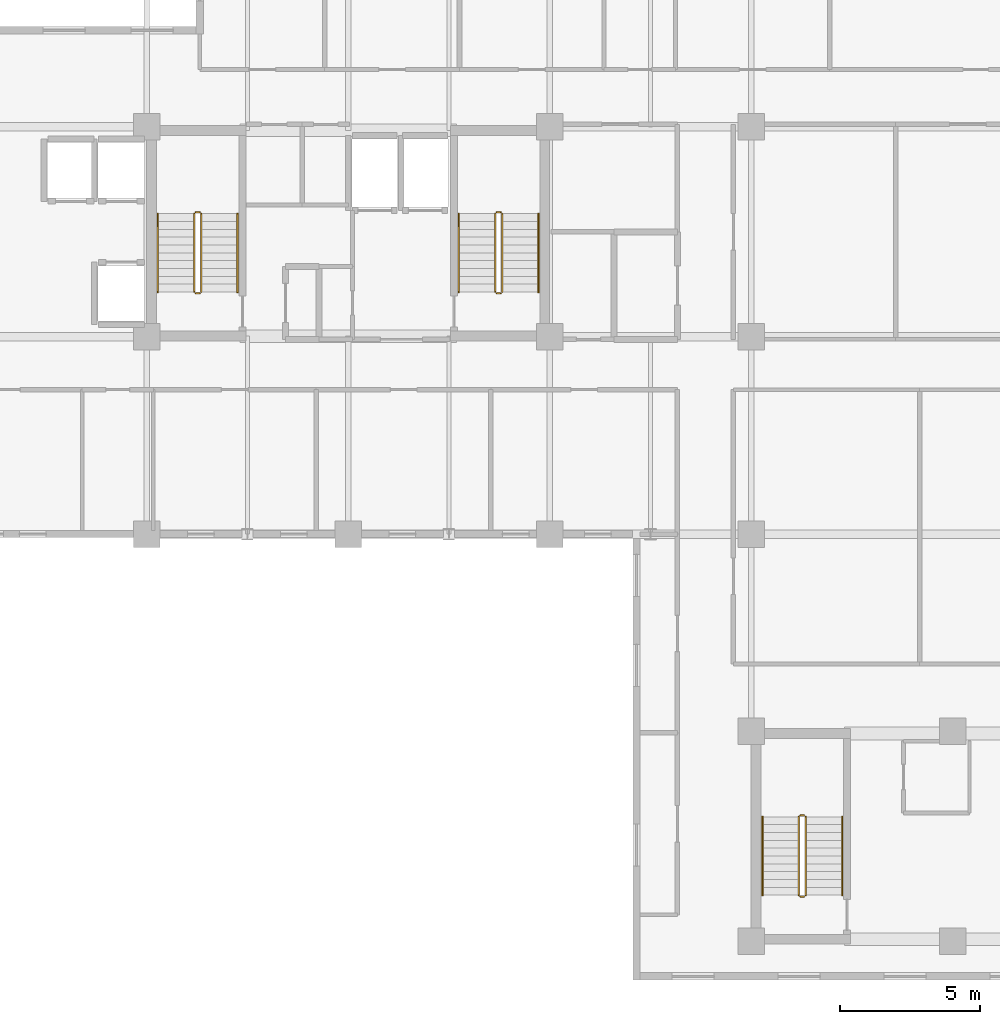
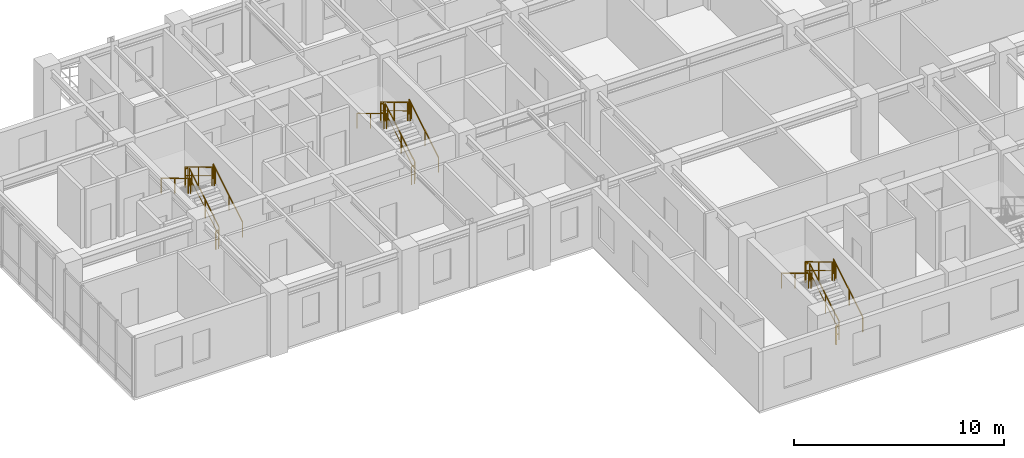
# One storey, part 18 of 20: 18 railings.
"""IFC4 building model written with IfcOpenShell, lengths in metres."""

import ifcopenshell
import ifcopenshell.guid

model = None  # the IFC model being written
_history = None  # IfcOwnerHistory: only IFC2X3 demands one
_inside = {}  # id of a spatial element -> (the spatial element, [elements in it])
_under = {}  # id of a project, library or spatial element -> (it, [spatial elements below it])
_declared = {}  # id of a project -> (the project, [libraries it declares])
_typed = {}  # id of a type object -> (the type object, [elements of that type])
_made_of = {}  # id of a material, layer set ... -> (it, [elements and type objects made of it])


def new_model(schema):
    """Start an empty IFC model of exactly this schema.

    Asked for "IFC4X3", IfcOpenShell would pick the latest addendum, in which some entities
    have other attributes; the version numbers below select the first issue.
    IFC2X3 requires an IfcOwnerHistory on every rooted entity: one is made here for all.
    """
    global model, _history
    if schema == "IFC4X3":
        model = ifcopenshell.file(schema_version=(4, 3, 0, 0))
    else:
        model = ifcopenshell.file(schema=schema)
    _inside.clear()
    _under.clear()
    _declared.clear()
    _typed.clear()
    _made_of.clear()
    _history = None
    if model.schema == "IFC2X3":
        org = make("IfcOrganization", Name="unknown")
        user = make(
            "IfcPersonAndOrganization",
            ThePerson=make("IfcPerson", FamilyName="unknown"),
            TheOrganization=org,
        )
        app = make(
            "IfcApplication",
            ApplicationDeveloper=org,
            Version="unknown",
            ApplicationFullName="unknown",
            ApplicationIdentifier="unknown",
        )
        _history = make(
            "IfcOwnerHistory",
            OwningUser=user,
            OwningApplication=app,
            ChangeAction="ADDED",
            CreationDate=0,
        )
    return model


def make(cls, **values):
    """One entity of the class cls with the attributes given. An attribute that is None is left unset."""
    return model.create_entity(
        cls, **{name: value for name, value in values.items() if value is not None}
    )


def rooted(cls, **values):
    """An entity with a GlobalId (a new one), such as an element, a storey or a relation."""
    return make(cls, GlobalId=ifcopenshell.guid.new(), OwnerHistory=_history, **values)


def si_unit(unit_type, name, prefix=None):
    """IfcSIUnit, for example si_unit("LENGTHUNIT", "METRE", prefix="MILLI")."""
    return make("IfcSIUnit", UnitType=unit_type, Prefix=prefix, Name=name)


def assignment(units):
    """IfcUnitAssignment: the units of a project."""
    return None if units is None else make("IfcUnitAssignment", Units=units)


def point(xyz):
    """IfcCartesianPoint."""
    return None if xyz is None else make("IfcCartesianPoint", Coordinates=xyz)


def direction(xyz):
    """IfcDirection."""
    return None if xyz is None else make("IfcDirection", DirectionRatios=xyz)


def frame(location, z_axis=None, x_axis=None):
    """IfcAxis2Placement3D, a coordinate frame: its origin and axes. An axis left out is left unset."""
    return make(
        "IfcAxis2Placement3D",
        Location=point(location),
        Axis=direction(z_axis),
        RefDirection=direction(x_axis),
    )


def frame_2d(location, x_axis=None):
    """IfcAxis2Placement2D, a coordinate frame in the plane: its origin and x axis."""
    return make(
        "IfcAxis2Placement2D", Location=point(location), RefDirection=direction(x_axis)
    )


def origin():
    """The frame at (0, 0, 0) with its axes left unset."""
    return frame((0.0, 0.0, 0.0))


def origin_2d():
    """The frame at (0, 0) in the plane with its x axis left unset."""
    return frame_2d((0.0, 0.0))


def place(relative_to, where):
    """IfcLocalPlacement: puts the frame where relative to a parent placement (None: the world)."""
    return make(
        "IfcLocalPlacement", PlacementRelTo=relative_to, RelativePlacement=where
    )


def context(
    kind, dimensions, precision=None, world=None, true_north=None, identifier=None
):
    """IfcGeometricRepresentationContext, for example the 3D "Model" context."""
    return make(
        "IfcGeometricRepresentationContext",
        ContextIdentifier=identifier,
        ContextType=kind,
        CoordinateSpaceDimension=dimensions,
        Precision=precision,
        WorldCoordinateSystem=world,
        TrueNorth=true_north,
    )


def subcontext(parent, identifier, kind, view, scale=None):
    """IfcGeometricRepresentationSubContext, for example "Body" below "Model"."""
    return make(
        "IfcGeometricRepresentationSubContext",
        ContextIdentifier=identifier,
        ContextType=kind,
        ParentContext=parent,
        TargetScale=scale,
        TargetView=view,
    )


def project(units=None, contexts=None):
    """IfcProject with its units and contexts."""
    return rooted(
        "IfcProject",
        Name="project",
        RepresentationContexts=contexts,
        UnitsInContext=assignment(units),
    )


def spatial(cls, under=None, at=None, **own):
    """A site, building, storey or space (cls), placed at a placement, below another one or the project."""
    s = rooted(cls, ObjectPlacement=at, **own)
    if under is not None:
        _under.setdefault(under.id(), (under, []))[1].append(s)
    return s


def profile(cls, at=None, kind="AREA", **sizes):
    """A parametric profile (cls). Its sizes go by their IFC names, for example OverallWidth=200.0."""
    return make(cls, ProfileType=kind, Position=at, **sizes)


def rectangle(**sizes):
    """IfcRectangleProfileDef."""
    return profile("IfcRectangleProfileDef", **sizes)


def extrude(swept, where, along, depth):
    """IfcExtrudedAreaSolid: the profile swept, set in the frame where, extruded along a direction by depth."""
    return make(
        "IfcExtrudedAreaSolid",
        SweptArea=swept,
        Position=where,
        ExtrudedDirection=direction(along),
        Depth=depth,
    )


def shape(context_of_items, identifier, shape_type, items):
    """IfcShapeRepresentation: the items that make up one representation, for example the "Body"."""
    return make(
        "IfcShapeRepresentation",
        ContextOfItems=context_of_items,
        RepresentationIdentifier=identifier,
        RepresentationType=shape_type,
        Items=items,
    )


def material(Name=None, Category=None):
    """IfcMaterial."""
    return make("IfcMaterial", Name=Name, Category=Category)


def made_of(thing, what):
    """Note that an element or type object is made of a material, layer set ...; save() writes the relation."""
    if what is not None:
        _made_of.setdefault(what.id(), (what, []))[1].append(thing)
    return thing


def type_object(cls, material=None, **own):
    """A type object (cls), such as IfcWallType, which elements share."""
    return made_of(rooted(cls, **own), material)


def element(
    cls,
    number,
    at=None,
    inside=None,
    cuts=None,
    type_object=None,
    material=None,
    context=None,
    identifier="Body",
    shape_type=None,
    held_by="IfcProductDefinitionShape",
    body=None,
    shapes=None,
    **own,
):
    """One element of the class cls, such as IfcWall. Its Tag is "e" and its number.

    at: its placement. inside: the storey or other place that contains it. cuts: it is an
    opening in that element (IfcRelVoidsElement). A single representation is given by context,
    identifier, shape_type and body (its items); several are given by shapes. held_by: the class
    of the entity that holds the representations. save() writes the other relations.
    """
    e = rooted(cls, Tag="e%d" % number, ObjectPlacement=at, **own)
    if body is not None:
        shapes = [shape(context, identifier, shape_type, body)]
    if shapes is not None:
        e.Representation = make(held_by, Representations=shapes)
    if inside is not None:
        _inside.setdefault(inside.id(), (inside, []))[1].append(e)
    if cuts is not None:
        rooted(
            "IfcRelVoidsElement", RelatingBuildingElement=cuts, RelatedOpeningElement=e
        )
    if type_object is not None:
        _typed.setdefault(type_object.id(), (type_object, []))[1].append(e)
    return made_of(e, material)


def aggregate(whole, parts):
    """IfcRelAggregates: a whole, such as a stair, and the parts it consists of."""
    return rooted("IfcRelAggregates", RelatingObject=whole, RelatedObjects=parts)


def save(model, path):
    """Write the relations noted so far, then the file.

    IfcRelAggregates (storeys below a building ...), IfcRelContainedInSpatialStructure (elements
    in a storey), IfcRelDefinesByType, IfcRelAssociatesMaterial and IfcRelDeclares: one each for
    every whole, place, type object, material and project.
    """
    for whole, parts in _under.values():
        aggregate(whole, parts)
    for where, things in _inside.values():
        rooted(
            "IfcRelContainedInSpatialStructure",
            RelatedElements=things,
            RelatingStructure=where,
        )
    for kind, things in _typed.values():
        rooted("IfcRelDefinesByType", RelatedObjects=things, RelatingType=kind)
    for what, things in _made_of.values():
        rooted("IfcRelAssociatesMaterial", RelatedObjects=things, RelatingMaterial=what)
    for by, libraries in _declared.values():
        rooted("IfcRelDeclares", RelatingContext=by, RelatedDefinitions=libraries)
    model.write(path)


model = new_model("IFC4")

# Units and contexts
model_context = context("Model", 3, precision=1e-05, world=origin(), true_north=direction((0.0, 1.0)))
body_context = subcontext(model_context, "Body", "Model", "MODEL_VIEW")
ifc_project = project(units=[si_unit("LENGTHUNIT", "METRE"), si_unit("AREAUNIT", "SQUARE_METRE"), si_unit("VOLUMEUNIT", "CUBIC_METRE"), si_unit("PLANEANGLEUNIT", "RADIAN"), si_unit("MASSUNIT", "GRAM", prefix="KILO")], contexts=[model_context])

# Site, building, storey
site_placement = place(None, origin())
site = spatial("IfcSite", under=ifc_project, at=site_placement, CompositionType="ELEMENT")
building_placement = place(site_placement, origin())
building = spatial("IfcBuilding", under=site, at=building_placement, Name="Kaliganga Portal Commons", CompositionType="ELEMENT")
storey_placement = place(building_placement, frame((0.0, 0.0, 231.39990234375)))
storey = spatial("IfcBuildingStorey", under=building, at=storey_placement, Name="L59", CompositionType="ELEMENT", Elevation=231.39990234375)

# Railings
ifc_material_1 = material(Name="Galvanized Painted Steel Balustrade", Category="steel")
railing_type_1 = type_object("IfcRailingType", Name="RLG-STAIR-GRD", PredefinedType="GUARDRAIL", material=ifc_material_1)
railing_1_placement = place(storey_placement, frame((16.35009765625, 30.25, 0.168212890625)))
element("IfcRailing", 1, at=railing_1_placement, inside=storey, type_object=railing_type_1, Name="L59 ST-A1 stair guard 1", PredefinedType="GUARDRAIL", context=body_context, shape_type="SweptSolid", body=[
    extrude(rectangle(XDim=0.048095703125, YDim=0.048095703125, at=origin_2d()), frame((0.0, 0.0, 1.072021484375), z_axis=(0.0, 0.857242210791, 0.514913383045), x_axis=(-1.0, 0.0, 0.0)), (0.0, 0.0, 1.0), 3.266357421875),
    extrude(rectangle(XDim=0.028076171875, YDim=0.028076171875, at=origin_2d()), frame((0.0, 0.0, 0.572021484375), z_axis=(0.0, 0.857242210791, 0.514913383045), x_axis=(-1.0, 0.0, 0.0)), (0.0, 0.0, 1.0), 3.266357421875),
    extrude(rectangle(XDim=0.0419921875, YDim=0.0419921875, at=origin_2d()), origin(), (0.0, 0.0, 1.0), 1.052001953125),
    extrude(rectangle(XDim=0.0419921875, YDim=0.0419921875, at=origin_2d()), frame((0.0, 1.285888671875, 0.7724609375)), (0.0, 0.0, 1.0), 1.052001953125),
    extrude(rectangle(XDim=0.0419921875, YDim=0.0419921875, at=origin_2d()), frame((0.0, 2.57177734375, 1.544677734375)), (0.0, 0.0, 1.0), 1.052001953125),
    extrude(rectangle(XDim=0.0419921875, YDim=0.0419921875, at=origin_2d()), frame((0.0, 2.800048828125, 1.681884765625)), (0.0, 0.0, 1.0), 1.052001953125),
])
railing_2_placement = place(storey_placement, frame((16.300048828125, 33.10009765625, 1.85009765625)))
element("IfcRailing", 2, at=railing_2_placement, inside=storey, type_object=railing_type_1, Name="L59 ST-A1 stair guard 2", PredefinedType="GUARDRAIL", context=body_context, shape_type="SweptSolid", body=[
    extrude(rectangle(XDim=0.048095703125, YDim=0.048095703125, at=origin_2d()), frame((0.0, 0.0, 1.076171875), z_axis=(-1.0, 0.0, 0.0), x_axis=(0.0, -1.0, 0.0)), (0.0, 0.0, 1.0), 0.150146484375),
    extrude(rectangle(XDim=0.028076171875, YDim=0.028076171875, at=origin_2d()), frame((0.0, 0.0, 0.572021484375), z_axis=(-1.0, 0.0, 0.0), x_axis=(0.0, -1.0, 0.0)), (0.0, 0.0, 1.0), 0.150146484375),
    extrude(rectangle(XDim=0.0419921875, YDim=0.0419921875, at=origin_2d()), origin(), (0.0, 0.0, 1.0), 1.052001953125),
    extrude(rectangle(XDim=0.0419921875, YDim=0.0419921875, at=origin_2d()), frame((-0.150146484375, 0.0, 0.0)), (0.0, 0.0, 1.0), 1.052001953125),
])
railing_3_placement = place(storey_placement, frame((16.10009765625, 33.050048828125, 2.018310546875)))
element("IfcRailing", 3, at=railing_3_placement, inside=storey, type_object=railing_type_1, Name="L59 ST-A1 stair guard 3", PredefinedType="GUARDRAIL", context=body_context, shape_type="SweptSolid", body=[
    extrude(rectangle(XDim=0.048095703125, YDim=0.048095703125, at=origin_2d()), frame((0.0, 0.0, 1.072021484375), z_axis=(0.0, -0.857242210791, 0.514913383045), x_axis=(1.0, 0.0, 0.0)), (0.0, 0.0, 1.0), 3.266357421875),
    extrude(rectangle(XDim=0.028076171875, YDim=0.028076171875, at=origin_2d()), frame((0.0, 0.0, 0.572021484375), z_axis=(0.0, -0.857242210791, 0.514913383045), x_axis=(1.0, 0.0, 0.0)), (0.0, 0.0, 1.0), 3.266357421875),
    extrude(rectangle(XDim=0.0419921875, YDim=0.0419921875, at=origin_2d()), origin(), (0.0, 0.0, 1.0), 1.052001953125),
    extrude(rectangle(XDim=0.0419921875, YDim=0.0419921875, at=origin_2d()), frame((0.0, -1.285888671875, 0.7724609375)), (0.0, 0.0, 1.0), 1.052001953125),
    extrude(rectangle(XDim=0.0419921875, YDim=0.0419921875, at=origin_2d()), frame((0.0, -2.57177734375, 1.544677734375)), (0.0, 0.0, 1.0), 1.052001953125),
    extrude(rectangle(XDim=0.0419921875, YDim=0.0419921875, at=origin_2d()), frame((0.0, -2.800048828125, 1.681884765625)), (0.0, 0.0, 1.0), 1.052001953125),
])
railing_4_placement = place(storey_placement, frame((16.300048828125, 30.199951171875, 0.0)))
element("IfcRailing", 4, at=railing_4_placement, inside=storey, type_object=railing_type_1, Name="L59 ST-A1 stair guard 4", PredefinedType="GUARDRAIL", context=body_context, shape_type="SweptSolid", body=[
    extrude(rectangle(XDim=0.048095703125, YDim=0.048095703125, at=origin_2d()), frame((0.0, 0.0, 1.076171875), z_axis=(-1.0, 0.0, 0.0), x_axis=(0.0, -1.0, 0.0)), (0.0, 0.0, 1.0), 0.150146484375),
    extrude(rectangle(XDim=0.028076171875, YDim=0.028076171875, at=origin_2d()), frame((0.0, 0.0, 0.572021484375), z_axis=(-1.0, 0.0, 0.0), x_axis=(0.0, -1.0, 0.0)), (0.0, 0.0, 1.0), 0.150146484375),
    extrude(rectangle(XDim=0.0419921875, YDim=0.0419921875, at=origin_2d()), origin(), (0.0, 0.0, 1.0), 1.052001953125),
    extrude(rectangle(XDim=0.0419921875, YDim=0.0419921875, at=origin_2d()), frame((-0.150146484375, 0.0, 0.0)), (0.0, 0.0, 1.0), 1.052001953125),
])
railing_5_placement = place(storey_placement, frame((27.10009765625, 30.25, 0.168212890625)))
element("IfcRailing", 5, at=railing_5_placement, inside=storey, type_object=railing_type_1, Name="L59 ST-A2 stair guard 1", PredefinedType="GUARDRAIL", context=body_context, shape_type="SweptSolid", body=[
    extrude(rectangle(XDim=0.048095703125, YDim=0.048095703125, at=origin_2d()), frame((0.0, 0.0, 1.072021484375), z_axis=(0.0, 0.857242210791, 0.514913383045), x_axis=(-1.0, 0.0, 0.0)), (0.0, 0.0, 1.0), 3.266357421875),
    extrude(rectangle(XDim=0.028076171875, YDim=0.028076171875, at=origin_2d()), frame((0.0, 0.0, 0.572021484375), z_axis=(0.0, 0.857242210791, 0.514913383045), x_axis=(-1.0, 0.0, 0.0)), (0.0, 0.0, 1.0), 3.266357421875),
    extrude(rectangle(XDim=0.0419921875, YDim=0.0419921875, at=origin_2d()), origin(), (0.0, 0.0, 1.0), 1.052001953125),
    extrude(rectangle(XDim=0.0419921875, YDim=0.0419921875, at=origin_2d()), frame((0.0, 1.285888671875, 0.7724609375)), (0.0, 0.0, 1.0), 1.052001953125),
    extrude(rectangle(XDim=0.0419921875, YDim=0.0419921875, at=origin_2d()), frame((0.0, 2.57177734375, 1.544677734375)), (0.0, 0.0, 1.0), 1.052001953125),
    extrude(rectangle(XDim=0.0419921875, YDim=0.0419921875, at=origin_2d()), frame((0.0, 2.800048828125, 1.681884765625)), (0.0, 0.0, 1.0), 1.052001953125),
])
railing_6_placement = place(storey_placement, frame((27.050048828125, 33.10009765625, 1.85009765625)))
element("IfcRailing", 6, at=railing_6_placement, inside=storey, type_object=railing_type_1, Name="L59 ST-A2 stair guard 2", PredefinedType="GUARDRAIL", context=body_context, shape_type="SweptSolid", body=[
    extrude(rectangle(XDim=0.048095703125, YDim=0.048095703125, at=origin_2d()), frame((0.0, 0.0, 1.076171875), z_axis=(-1.0, 0.0, 0.0), x_axis=(0.0, -1.0, 0.0)), (0.0, 0.0, 1.0), 0.150146484375),
    extrude(rectangle(XDim=0.028076171875, YDim=0.028076171875, at=origin_2d()), frame((0.0, 0.0, 0.572021484375), z_axis=(-1.0, 0.0, 0.0), x_axis=(0.0, -1.0, 0.0)), (0.0, 0.0, 1.0), 0.150146484375),
    extrude(rectangle(XDim=0.0419921875, YDim=0.0419921875, at=origin_2d()), origin(), (0.0, 0.0, 1.0), 1.052001953125),
    extrude(rectangle(XDim=0.0419921875, YDim=0.0419921875, at=origin_2d()), frame((-0.150146484375, 0.0, 0.0)), (0.0, 0.0, 1.0), 1.052001953125),
])
railing_7_placement = place(storey_placement, frame((26.85009765625, 33.050048828125, 2.018310546875)))
element("IfcRailing", 7, at=railing_7_placement, inside=storey, type_object=railing_type_1, Name="L59 ST-A2 stair guard 3", PredefinedType="GUARDRAIL", context=body_context, shape_type="SweptSolid", body=[
    extrude(rectangle(XDim=0.048095703125, YDim=0.048095703125, at=origin_2d()), frame((0.0, 0.0, 1.072021484375), z_axis=(0.0, -0.857242210791, 0.514913383045), x_axis=(1.0, 0.0, 0.0)), (0.0, 0.0, 1.0), 3.266357421875),
    extrude(rectangle(XDim=0.028076171875, YDim=0.028076171875, at=origin_2d()), frame((0.0, 0.0, 0.572021484375), z_axis=(0.0, -0.857242210791, 0.514913383045), x_axis=(1.0, 0.0, 0.0)), (0.0, 0.0, 1.0), 3.266357421875),
    extrude(rectangle(XDim=0.0419921875, YDim=0.0419921875, at=origin_2d()), origin(), (0.0, 0.0, 1.0), 1.052001953125),
    extrude(rectangle(XDim=0.0419921875, YDim=0.0419921875, at=origin_2d()), frame((0.0, -1.285888671875, 0.7724609375)), (0.0, 0.0, 1.0), 1.052001953125),
    extrude(rectangle(XDim=0.0419921875, YDim=0.0419921875, at=origin_2d()), frame((0.0, -2.57177734375, 1.544677734375)), (0.0, 0.0, 1.0), 1.052001953125),
    extrude(rectangle(XDim=0.0419921875, YDim=0.0419921875, at=origin_2d()), frame((0.0, -2.800048828125, 1.681884765625)), (0.0, 0.0, 1.0), 1.052001953125),
])
railing_8_placement = place(storey_placement, frame((27.050048828125, 30.199951171875, 0.0)))
element("IfcRailing", 8, at=railing_8_placement, inside=storey, type_object=railing_type_1, Name="L59 ST-A2 stair guard 4", PredefinedType="GUARDRAIL", context=body_context, shape_type="SweptSolid", body=[
    extrude(rectangle(XDim=0.048095703125, YDim=0.048095703125, at=origin_2d()), frame((0.0, 0.0, 1.076171875), z_axis=(-1.0, 0.0, 0.0), x_axis=(0.0, -1.0, 0.0)), (0.0, 0.0, 1.0), 0.150146484375),
    extrude(rectangle(XDim=0.028076171875, YDim=0.028076171875, at=origin_2d()), frame((0.0, 0.0, 0.572021484375), z_axis=(-1.0, 0.0, 0.0), x_axis=(0.0, -1.0, 0.0)), (0.0, 0.0, 1.0), 0.150146484375),
    extrude(rectangle(XDim=0.0419921875, YDim=0.0419921875, at=origin_2d()), origin(), (0.0, 0.0, 1.0), 1.052001953125),
    extrude(rectangle(XDim=0.0419921875, YDim=0.0419921875, at=origin_2d()), frame((-0.150146484375, 0.0, 0.0)), (0.0, 0.0, 1.0), 1.052001953125),
])
railing_9_placement = place(storey_placement, frame((37.949951171875, 8.699951171875, 0.168212890625)))
element("IfcRailing", 9, at=railing_9_placement, inside=storey, type_object=railing_type_1, Name="L59 ST-B1 stair guard 1", PredefinedType="GUARDRAIL", context=body_context, shape_type="SweptSolid", body=[
    extrude(rectangle(XDim=0.048095703125, YDim=0.048095703125, at=origin_2d()), frame((0.0, 0.0, 1.072021484375), z_axis=(0.0, 0.857242210791, 0.514913383045), x_axis=(-1.0, 0.0, 0.0)), (0.0, 0.0, 1.0), 3.266357421875),
    extrude(rectangle(XDim=0.028076171875, YDim=0.028076171875, at=origin_2d()), frame((0.0, 0.0, 0.572021484375), z_axis=(0.0, 0.857242210791, 0.514913383045), x_axis=(-1.0, 0.0, 0.0)), (0.0, 0.0, 1.0), 3.266357421875),
    extrude(rectangle(XDim=0.0419921875, YDim=0.0419921875, at=origin_2d()), origin(), (0.0, 0.0, 1.0), 1.052001953125),
    extrude(rectangle(XDim=0.0419921875, YDim=0.0419921875, at=origin_2d()), frame((0.0, 1.285888671875, 0.7724609375)), (0.0, 0.0, 1.0), 1.052001953125),
    extrude(rectangle(XDim=0.0419921875, YDim=0.0419921875, at=origin_2d()), frame((0.0, 2.57177734375, 1.544677734375)), (0.0, 0.0, 1.0), 1.052001953125),
    extrude(rectangle(XDim=0.0419921875, YDim=0.0419921875, at=origin_2d()), frame((0.0, 2.800048828125, 1.681884765625)), (0.0, 0.0, 1.0), 1.052001953125),
])
railing_10_placement = place(storey_placement, frame((37.89990234375, 11.550048828125, 1.85009765625)))
element("IfcRailing", 10, at=railing_10_placement, inside=storey, type_object=railing_type_1, Name="L59 ST-B1 stair guard 2", PredefinedType="GUARDRAIL", context=body_context, shape_type="SweptSolid", body=[
    extrude(rectangle(XDim=0.048095703125, YDim=0.048095703125, at=origin_2d()), frame((0.0, 0.0, 1.076171875), z_axis=(-1.0, 0.0, 0.0), x_axis=(0.0, -1.0, 0.0)), (0.0, 0.0, 1.0), 0.14990234375),
    extrude(rectangle(XDim=0.028076171875, YDim=0.028076171875, at=origin_2d()), frame((0.0, 0.0, 0.572021484375), z_axis=(-1.0, 0.0, 0.0), x_axis=(0.0, -1.0, 0.0)), (0.0, 0.0, 1.0), 0.14990234375),
    extrude(rectangle(XDim=0.0419921875, YDim=0.0419921875, at=origin_2d()), frame((-0.14990234375, 0.0, 0.0)), (0.0, 0.0, 1.0), 1.052001953125),
])
railing_11_placement = place(storey_placement, frame((37.699951171875, 11.5, 2.018310546875)))
element("IfcRailing", 11, at=railing_11_placement, inside=storey, type_object=railing_type_1, Name="L59 ST-B1 stair guard 3", PredefinedType="GUARDRAIL", context=body_context, shape_type="SweptSolid", body=[
    extrude(rectangle(XDim=0.048095703125, YDim=0.048095703125, at=origin_2d()), frame((0.0, 0.0, 1.072021484375), z_axis=(0.0, -0.857242210791, 0.514913383045), x_axis=(1.0, 0.0, 0.0)), (0.0, 0.0, 1.0), 3.266357421875),
    extrude(rectangle(XDim=0.028076171875, YDim=0.028076171875, at=origin_2d()), frame((0.0, 0.0, 0.572021484375), z_axis=(0.0, -0.857242210791, 0.514913383045), x_axis=(1.0, 0.0, 0.0)), (0.0, 0.0, 1.0), 3.266357421875),
    extrude(rectangle(XDim=0.0419921875, YDim=0.0419921875, at=origin_2d()), origin(), (0.0, 0.0, 1.0), 1.052001953125),
    extrude(rectangle(XDim=0.0419921875, YDim=0.0419921875, at=origin_2d()), frame((0.0, -1.285888671875, 0.7724609375)), (0.0, 0.0, 1.0), 1.052001953125),
    extrude(rectangle(XDim=0.0419921875, YDim=0.0419921875, at=origin_2d()), frame((0.0, -2.57177734375, 1.544677734375)), (0.0, 0.0, 1.0), 1.052001953125),
    extrude(rectangle(XDim=0.0419921875, YDim=0.0419921875, at=origin_2d()), frame((0.0, -2.800048828125, 1.681884765625)), (0.0, 0.0, 1.0), 1.052001953125),
])
railing_12_placement = place(storey_placement, frame((37.89990234375, 8.64990234375, 0.0)))
element("IfcRailing", 12, at=railing_12_placement, inside=storey, type_object=railing_type_1, Name="L59 ST-B1 stair guard 4", PredefinedType="GUARDRAIL", context=body_context, shape_type="SweptSolid", body=[
    extrude(rectangle(XDim=0.048095703125, YDim=0.048095703125, at=origin_2d()), frame((0.0, 0.0, 1.076171875), z_axis=(-1.0, 0.0, 0.0), x_axis=(0.0, -1.0, 0.0)), (0.0, 0.0, 1.0), 0.14990234375),
    extrude(rectangle(XDim=0.028076171875, YDim=0.028076171875, at=origin_2d()), frame((0.0, 0.0, 0.572021484375), z_axis=(-1.0, 0.0, 0.0), x_axis=(0.0, -1.0, 0.0)), (0.0, 0.0, 1.0), 0.14990234375),
    extrude(rectangle(XDim=0.0419921875, YDim=0.0419921875, at=origin_2d()), frame((-0.14990234375, 0.0, 0.0)), (0.0, 0.0, 1.0), 1.052001953125),
])
ifc_material_2 = material(Name="Brushed Stainless Steel 316", Category="steel")
railing_type_2 = type_object("IfcRailingType", Name="RLG-STAIR-HR", PredefinedType="HANDRAIL", material=ifc_material_2)
railing_13_placement = place(storey_placement, frame((17.64990234375, 30.25, 0.168212890625)))
element("IfcRailing", 13, at=railing_13_placement, inside=storey, type_object=railing_type_2, Name="L59 ST-A1 stair handrail 1", PredefinedType="HANDRAIL", context=body_context, shape_type="SweptSolid", body=[
    extrude(rectangle(XDim=0.048095703125, YDim=0.048095703125, at=origin_2d()), frame((0.0, 0.0, 0.871826171875), z_axis=(0.0, 0.857242210791, 0.514913383045), x_axis=(-1.0, 0.0, 0.0)), (0.0, 0.0, 1.0), 3.266357421875),
    extrude(rectangle(XDim=0.0419921875, YDim=0.0419921875, at=origin_2d()), origin(), (0.0, 0.0, 1.0), 0.851806640625),
    extrude(rectangle(XDim=0.0419921875, YDim=0.0419921875, at=origin_2d()), frame((0.0, 1.285888671875, 0.7724609375)), (0.0, 0.0, 1.0), 0.851806640625),
    extrude(rectangle(XDim=0.0419921875, YDim=0.0419921875, at=origin_2d()), frame((0.0, 2.57177734375, 1.544677734375)), (0.0, 0.0, 1.0), 0.851806640625),
    extrude(rectangle(XDim=0.0419921875, YDim=0.0419921875, at=origin_2d()), frame((0.0, 2.800048828125, 1.681884765625)), (0.0, 0.0, 1.0), 0.851806640625),
])
railing_14_placement = place(storey_placement, frame((14.800048828125, 33.050048828125, 2.018310546875)))
element("IfcRailing", 14, at=railing_14_placement, inside=storey, type_object=railing_type_2, Name="L59 ST-A1 stair handrail 2", PredefinedType="HANDRAIL", context=body_context, shape_type="SweptSolid", body=[
    extrude(rectangle(XDim=0.048095703125, YDim=0.048095703125, at=origin_2d()), frame((0.0, 0.0, 0.871826171875), z_axis=(0.0, -0.857242210791, 0.514913383045), x_axis=(1.0, 0.0, 0.0)), (0.0, 0.0, 1.0), 3.266357421875),
    extrude(rectangle(XDim=0.0419921875, YDim=0.0419921875, at=origin_2d()), origin(), (0.0, 0.0, 1.0), 0.851806640625),
    extrude(rectangle(XDim=0.0419921875, YDim=0.0419921875, at=origin_2d()), frame((0.0, -1.285888671875, 0.7724609375)), (0.0, 0.0, 1.0), 0.851806640625),
    extrude(rectangle(XDim=0.0419921875, YDim=0.0419921875, at=origin_2d()), frame((0.0, -2.57177734375, 1.544677734375)), (0.0, 0.0, 1.0), 0.851806640625),
    extrude(rectangle(XDim=0.0419921875, YDim=0.0419921875, at=origin_2d()), frame((0.0, -2.800048828125, 1.681884765625)), (0.0, 0.0, 1.0), 0.851806640625),
])
railing_15_placement = place(storey_placement, frame((28.39990234375, 30.25, 0.168212890625)))
element("IfcRailing", 15, at=railing_15_placement, inside=storey, type_object=railing_type_2, Name="L59 ST-A2 stair handrail 1", PredefinedType="HANDRAIL", context=body_context, shape_type="SweptSolid", body=[
    extrude(rectangle(XDim=0.048095703125, YDim=0.048095703125, at=origin_2d()), frame((0.0, 0.0, 0.871826171875), z_axis=(0.0, 0.857242210791, 0.514913383045), x_axis=(-1.0, 0.0, 0.0)), (0.0, 0.0, 1.0), 3.266357421875),
    extrude(rectangle(XDim=0.0419921875, YDim=0.0419921875, at=origin_2d()), origin(), (0.0, 0.0, 1.0), 0.851806640625),
    extrude(rectangle(XDim=0.0419921875, YDim=0.0419921875, at=origin_2d()), frame((0.0, 1.285888671875, 0.7724609375)), (0.0, 0.0, 1.0), 0.851806640625),
    extrude(rectangle(XDim=0.0419921875, YDim=0.0419921875, at=origin_2d()), frame((0.0, 2.57177734375, 1.544677734375)), (0.0, 0.0, 1.0), 0.851806640625),
    extrude(rectangle(XDim=0.0419921875, YDim=0.0419921875, at=origin_2d()), frame((0.0, 2.800048828125, 1.681884765625)), (0.0, 0.0, 1.0), 0.851806640625),
])
railing_16_placement = place(storey_placement, frame((25.550048828125, 33.050048828125, 2.018310546875)))
element("IfcRailing", 16, at=railing_16_placement, inside=storey, type_object=railing_type_2, Name="L59 ST-A2 stair handrail 2", PredefinedType="HANDRAIL", context=body_context, shape_type="SweptSolid", body=[
    extrude(rectangle(XDim=0.048095703125, YDim=0.048095703125, at=origin_2d()), frame((0.0, 0.0, 0.871826171875), z_axis=(0.0, -0.857242210791, 0.514913383045), x_axis=(1.0, 0.0, 0.0)), (0.0, 0.0, 1.0), 3.266357421875),
    extrude(rectangle(XDim=0.0419921875, YDim=0.0419921875, at=origin_2d()), origin(), (0.0, 0.0, 1.0), 0.851806640625),
    extrude(rectangle(XDim=0.0419921875, YDim=0.0419921875, at=origin_2d()), frame((0.0, -1.285888671875, 0.7724609375)), (0.0, 0.0, 1.0), 0.851806640625),
    extrude(rectangle(XDim=0.0419921875, YDim=0.0419921875, at=origin_2d()), frame((0.0, -2.57177734375, 1.544677734375)), (0.0, 0.0, 1.0), 0.851806640625),
    extrude(rectangle(XDim=0.0419921875, YDim=0.0419921875, at=origin_2d()), frame((0.0, -2.800048828125, 1.681884765625)), (0.0, 0.0, 1.0), 0.851806640625),
])
railing_17_placement = place(storey_placement, frame((39.25, 8.699951171875, 0.168212890625)))
element("IfcRailing", 17, at=railing_17_placement, inside=storey, type_object=railing_type_2, Name="L59 ST-B1 stair handrail 1", PredefinedType="HANDRAIL", context=body_context, shape_type="SweptSolid", body=[
    extrude(rectangle(XDim=0.048095703125, YDim=0.048095703125, at=origin_2d()), frame((0.0, 0.0, 0.871826171875), z_axis=(0.0, 0.857242210791, 0.514913383045), x_axis=(-1.0, 0.0, 0.0)), (0.0, 0.0, 1.0), 3.266357421875),
    extrude(rectangle(XDim=0.0419921875, YDim=0.0419921875, at=origin_2d()), origin(), (0.0, 0.0, 1.0), 0.851806640625),
    extrude(rectangle(XDim=0.0419921875, YDim=0.0419921875, at=origin_2d()), frame((0.0, 1.285888671875, 0.7724609375)), (0.0, 0.0, 1.0), 0.851806640625),
    extrude(rectangle(XDim=0.0419921875, YDim=0.0419921875, at=origin_2d()), frame((0.0, 2.57177734375, 1.544677734375)), (0.0, 0.0, 1.0), 0.851806640625),
    extrude(rectangle(XDim=0.0419921875, YDim=0.0419921875, at=origin_2d()), frame((0.0, 2.800048828125, 1.681884765625)), (0.0, 0.0, 1.0), 0.851806640625),
])
railing_18_placement = place(storey_placement, frame((36.39990234375, 11.5, 2.018310546875)))
element("IfcRailing", 18, at=railing_18_placement, inside=storey, type_object=railing_type_2, Name="L59 ST-B1 stair handrail 2", PredefinedType="HANDRAIL", context=body_context, shape_type="SweptSolid", body=[
    extrude(rectangle(XDim=0.048095703125, YDim=0.048095703125, at=origin_2d()), frame((0.0, 0.0, 0.871826171875), z_axis=(0.0, -0.857242210791, 0.514913383045), x_axis=(1.0, 0.0, 0.0)), (0.0, 0.0, 1.0), 3.266357421875),
    extrude(rectangle(XDim=0.0419921875, YDim=0.0419921875, at=origin_2d()), origin(), (0.0, 0.0, 1.0), 0.851806640625),
    extrude(rectangle(XDim=0.0419921875, YDim=0.0419921875, at=origin_2d()), frame((0.0, -1.285888671875, 0.7724609375)), (0.0, 0.0, 1.0), 0.851806640625),
    extrude(rectangle(XDim=0.0419921875, YDim=0.0419921875, at=origin_2d()), frame((0.0, -2.57177734375, 1.544677734375)), (0.0, 0.0, 1.0), 0.851806640625),
    extrude(rectangle(XDim=0.0419921875, YDim=0.0419921875, at=origin_2d()), frame((0.0, -2.800048828125, 1.681884765625)), (0.0, 0.0, 1.0), 0.851806640625),
])

save(model, "model.ifc")
